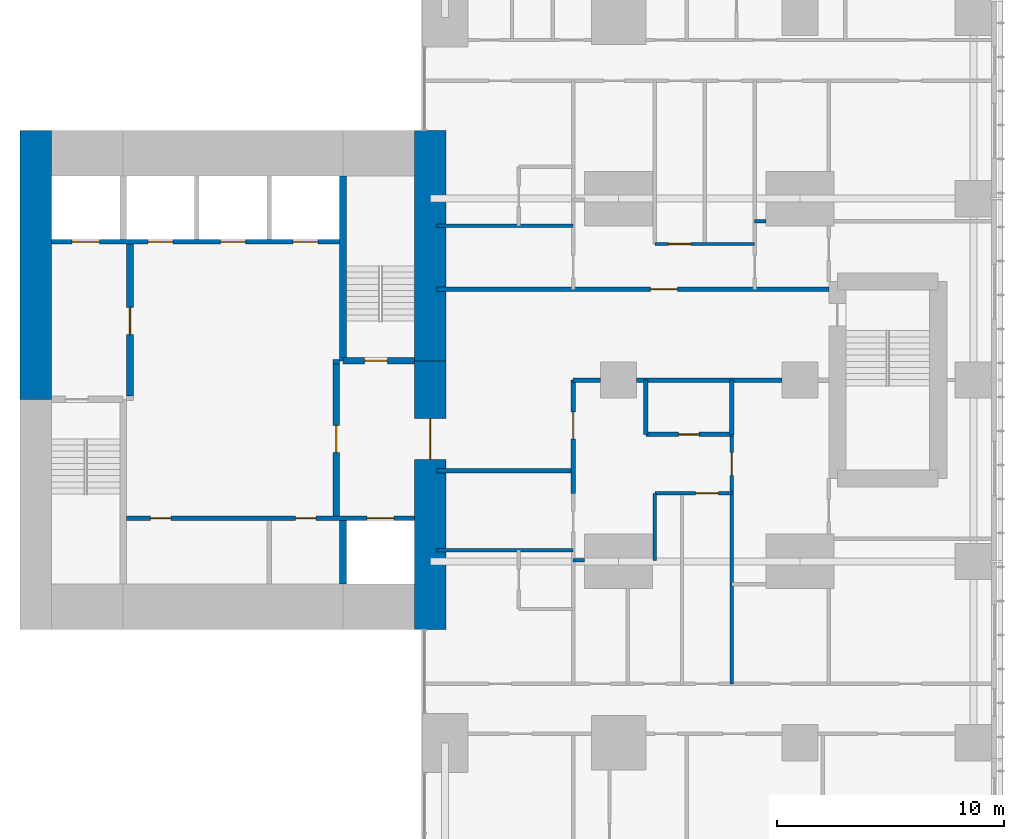
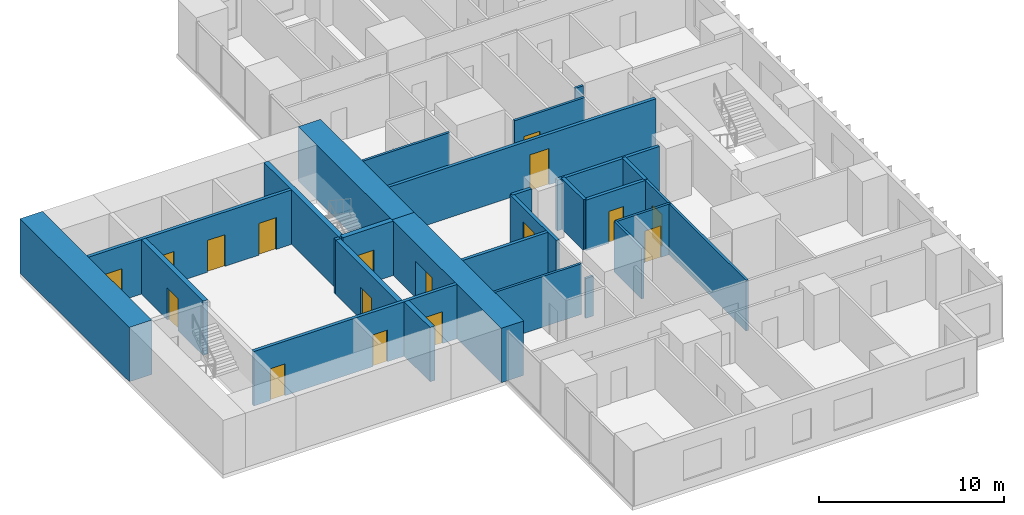
# One storey, part 8 of 12: 27 walls, 17 doors, 17 openings.
"""IFC4 building model written with IfcOpenShell, lengths in metres."""

from ifc_helpers import new_model, si_unit, direction, frame, frame_2d, origin, place, context, subcontext, project, spatial, rectangle, extrude, material, layer, layer_set, type_object, element, fill, save


model = new_model("IFC4")

# Units and contexts
model_context = context("Model", 3, precision=1e-05, world=origin(), true_north=direction((0.0, 1.0)))
body_context = subcontext(model_context, "Body", "Model", "MODEL_VIEW")
ifc_project = project(units=[si_unit("LENGTHUNIT", "METRE"), si_unit("AREAUNIT", "SQUARE_METRE"), si_unit("VOLUMEUNIT", "CUBIC_METRE"), si_unit("PLANEANGLEUNIT", "RADIAN"), si_unit("MASSUNIT", "GRAM", prefix="KILO")], contexts=[model_context])

# Site, building, storey
site_placement = place(None, origin())
site = spatial("IfcSite", under=ifc_project, at=site_placement, CompositionType="ELEMENT")
building_placement = place(site_placement, origin())
building = spatial("IfcBuilding", under=site, at=building_placement, Name="Cleftline Residences", CompositionType="ELEMENT")
storey_placement = place(building_placement, frame((0.0, 0.0, 248.39990234375)))
storey = spatial("IfcBuildingStorey", under=building, at=storey_placement, Name="L65", CompositionType="ELEMENT", Elevation=248.39990234375)

# Wall
ifc_material_1 = material(Name="Concrete B70", Category="concrete")
ifc_layer_1 = layer(ifc_material_1, 1.39990234375)
ifc_layer_set_1 = layer_set([ifc_layer_1], Name="CORE WALL 1400")
wall_type_1 = type_object("IfcWallType", Name="CORE WALL 1400", PredefinedType="SHEAR", material=ifc_layer_set_1)
wall_1_placement = place(storey_placement, frame((24.300048828125, 23.14990234375, 0.0), z_axis=(0.0, 0.0, 1.0), x_axis=(0.0, 1.0, 0.0)))
element("IfcWall", 1, at=wall_1_placement, inside=storey, type_object=wall_type_1, Name="Core wall W", PredefinedType="SHEAR", context=body_context, shape_type="SweptSolid", body=[
    extrude(rectangle(XDim=11.85009765625, YDim=1.39990234375, at=frame_2d((5.925048828125, 0.0))), origin(), (0.0, 0.0, 1.0), 3.60009765625),
])

# Wall, opening, door
wall_2_placement = place(storey_placement, frame((41.699951171875, 13.0, 0.0), z_axis=(0.0, 0.0, 1.0), x_axis=(0.0, 1.0, 0.0)))
wall_2 = element("IfcWall", 2, at=wall_2_placement, inside=storey, type_object=wall_type_1, Name="Core wall E", PredefinedType="SHEAR", context=body_context, shape_type="SweptSolid", body=[
    extrude(rectangle(XDim=11.85009765625, YDim=1.39990234375, at=frame_2d((5.925048828125, 0.0))), origin(), (0.0, 0.0, 1.0), 3.60009765625),
])
opening_1_placement = place(wall_2_placement, frame((7.5, 0.0, 0.0)))
opening_1 = element("IfcOpeningElement", 3, at=opening_1_placement, cuts=wall_2, Name="Opening D7", PredefinedType="OPENING", context=body_context, shape_type="SweptSolid", body=[
    extrude(rectangle(XDim=1.800048828125, YDim=2.39990234375, at=frame_2d((0.89990234375, 1.199951171875))), frame((0.0, 0.7099609375, 0.0), z_axis=(0.0, -1.0, 0.0), x_axis=(1.0, 0.0, 0.0)), (0.0, 0.0, 1.0), 1.419921875),
])
ifc_material_2 = material(Name="Steel", Category="steel")
door_type_1 = type_object("IfcDoorType", Name="WING DOOR 1800X2400", OperationType="DOUBLE_DOOR_DOUBLE_SWING", PredefinedType="DOOR", material=ifc_material_2)
door_1_placement = place(opening_1_placement, origin())
door_1 = element("IfcDoor", 4, at=door_1_placement, inside=storey, type_object=door_type_1, Name="East wing door", OperationType="DOUBLE_DOOR_DOUBLE_SWING", OverallHeight=2.39990234375, OverallWidth=1.800048828125, PredefinedType="DOOR", context=body_context, shape_type="SweptSolid", body=[
    extrude(rectangle(XDim=1.800048828125, YDim=2.39990234375, at=frame_2d((0.89990234375, 1.199951171875))), frame((0.0, 0.02490234375, 0.0), z_axis=(0.0, -1.0, 0.0), x_axis=(1.0, 0.0, 0.0)), (0.0, 0.0, 1.0), 0.050048828125),
])
fill(opening_1, door_1)

# Walls
wall_3_placement = place(storey_placement, frame((41.699951171875, 24.85009765625, 0.0), z_axis=(0.0, 0.0, 1.0), x_axis=(0.0, 1.0, 0.0)))
element("IfcWall", 5, at=wall_3_placement, inside=storey, type_object=wall_type_1, Name="Core wall E1", PredefinedType="SHEAR", context=body_context, shape_type="SweptSolid", body=[
    extrude(rectangle(XDim=10.14990234375, YDim=1.39990234375, at=frame_2d((5.074951171875, 0.0))), origin(), (0.0, 0.0, 1.0), 3.60009765625),
])
ifc_material_3 = material(Name="Concrete B70", Category="concrete")
ifc_layer_2 = layer(ifc_material_3, 0.300048828125)
ifc_layer_set_2 = layer_set([ifc_layer_2], Name="CORE WALL 300")
wall_type_2 = type_object("IfcWallType", Name="CORE WALL 300", PredefinedType="SHEAR", material=ifc_layer_set_2)
wall_4_placement = place(storey_placement, frame((37.85009765625, 24.85009765625, 0.0), z_axis=(0.0, 0.0, 1.0), x_axis=(0.0, 1.0, 0.0)))
element("IfcWall", 6, at=wall_4_placement, inside=storey, type_object=wall_type_2, Name="Core wall SB-W", PredefinedType="SHEAR", context=body_context, shape_type="SweptSolid", body=[
    extrude(rectangle(XDim=8.14990234375, YDim=0.300048828125, at=frame_2d((4.074951171875, 0.0))), origin(), (0.0, 0.0, 1.0), 3.60009765625),
])

# Wall, opening, door
wall_5_placement = place(storey_placement, frame((37.85009765625, 24.85009765625, 0.0), z_axis=(0.0, 0.0, 1.0), x_axis=(1.0, 0.0, 0.0)))
wall_5 = element("IfcWall", 7, at=wall_5_placement, inside=storey, type_object=wall_type_2, Name="Core wall SB-S", PredefinedType="SHEAR", context=body_context, shape_type="SweptSolid", body=[
    extrude(rectangle(XDim=3.14990234375, YDim=0.300048828125, at=frame_2d((1.574951171875, 0.0))), origin(), (0.0, 0.0, 1.0), 3.60009765625),
])
opening_2_placement = place(wall_5_placement, frame((0.949951171875, 0.0, 0.0)))
opening_2 = element("IfcOpeningElement", 8, at=opening_2_placement, cuts=wall_5, Name="Opening D5", PredefinedType="OPENING", context=body_context, shape_type="SweptSolid", body=[
    extrude(rectangle(XDim=1.0, YDim=2.10009765625, at=frame_2d((0.5, 1.050048828125))), frame((0.0, 0.159912109375, 0.0), z_axis=(0.0, -1.0, 0.0), x_axis=(1.0, 0.0, 0.0)), (0.0, 0.0, 1.0), 0.320068359375),
])
ifc_material_4 = material(Name="Steel", Category="steel")
door_type_2 = type_object("IfcDoorType", Name="STAIR DOOR 1000X2100", OperationType="SINGLE_SWING_LEFT", PredefinedType="DOOR", material=ifc_material_4)
door_2_placement = place(opening_2_placement, origin())
door_2 = element("IfcDoor", 9, at=door_2_placement, inside=storey, type_object=door_type_2, Name="Stair B door", OperationType="SINGLE_SWING_RIGHT", OverallHeight=2.10009765625, OverallWidth=1.0, PredefinedType="DOOR", context=body_context, shape_type="SweptSolid", body=[
    extrude(rectangle(XDim=1.0, YDim=2.10009765625, at=frame_2d((0.5, 1.050048828125))), frame((0.0, 0.02490234375, 0.0), z_axis=(0.0, -1.0, 0.0), x_axis=(1.0, 0.0, 0.0)), (0.0, 0.0, 1.0), 0.050048828125),
])
fill(opening_2, door_2)

# Walls
wall_6_placement = place(storey_placement, frame((37.85009765625, 15.0, 0.0), z_axis=(0.0, 0.0, 1.0), x_axis=(0.0, 1.0, 0.0)))
element("IfcWall", 10, at=wall_6_placement, inside=storey, type_object=wall_type_2, Name="Lift shaft wall", PredefinedType="SHEAR", context=body_context, shape_type="SweptSolid", body=[
    extrude(rectangle(XDim=2.800048828125, YDim=0.300048828125, at=frame_2d((1.39990234375, 0.0))), origin(), (0.0, 0.0, 1.0), 3.60009765625),
])
ifc_material_5 = material(Name="Concrete blockwork, fire rated", Category="masonry")
ifc_layer_3 = layer(ifc_material_5, 0.199951171875)
ifc_layer_set_3 = layer_set([ifc_layer_3], Name="FIRE WALL 200")
wall_type_3 = type_object("IfcWallType", Name="FIRE WALL 200", PredefinedType="PARTITIONING", material=ifc_layer_set_3)
wall_7_placement = place(storey_placement, frame((42.0, 20.0, 0.0), z_axis=(0.0, 0.0, 1.0), x_axis=(1.0, 0.0, 0.0)))
element("IfcWall", 11, at=wall_7_placement, inside=storey, type_object=wall_type_3, Name="Fire separating wall", PredefinedType="PARTITIONING", context=body_context, shape_type="SweptSolid", body=[
    extrude(rectangle(XDim=6.0, YDim=0.199951171875, at=frame_2d((3.0, 0.0))), origin(), (0.0, 0.0, 1.0), 3.35009765625),
])

# Wall, opening, door
wall_8_placement = place(storey_placement, frame((51.199951171875, 21.60009765625, 0.0), z_axis=(0.0, 0.0, 1.0), x_axis=(1.0, 0.0, 0.0)))
wall_8 = element("IfcWall", 12, at=wall_8_placement, inside=storey, type_object=wall_type_3, Name="Fire separating wall", PredefinedType="PARTITIONING", context=body_context, shape_type="SweptSolid", body=[
    extrude(rectangle(XDim=3.800048828125, YDim=0.199951171875, at=frame_2d((1.89990234375, 0.0))), origin(), (0.0, 0.0, 1.0), 3.35009765625),
])
opening_3_placement = place(wall_8_placement, frame((1.449951171875, 0.0, 0.0)))
opening_3 = element("IfcOpeningElement", 13, at=opening_3_placement, cuts=wall_8, Name="Opening D1F30", PredefinedType="OPENING", context=body_context, shape_type="SweptSolid", body=[
    extrude(rectangle(XDim=0.89990234375, YDim=2.10009765625, at=frame_2d((0.449951171875, 1.050048828125))), frame((0.0, 0.10986328125, 0.0), z_axis=(0.0, -1.0, 0.0), x_axis=(1.0, 0.0, 0.0)), (0.0, 0.0, 1.0), 0.219970703125),
])
ifc_material_6 = material(Name="Timber veneer on solid core", Category="wood")
door_type_3 = type_object("IfcDoorType", Name="DOOR 900X2100 EI 30", OperationType="SINGLE_SWING_LEFT", PredefinedType="DOOR", material=ifc_material_6)
door_3_placement = place(opening_3_placement, origin())
door_3 = element("IfcDoor", 14, at=door_3_placement, inside=storey, type_object=door_type_3, Name="Door to cloakroom wc", OperationType="SINGLE_SWING_LEFT", OverallHeight=2.10009765625, OverallWidth=0.89990234375, PredefinedType="DOOR", context=body_context, shape_type="SweptSolid", body=[
    extrude(rectangle(XDim=0.89990234375, YDim=2.10009765625, at=frame_2d((0.449951171875, 1.050048828125))), frame((0.0, 0.02490234375, 0.0), z_axis=(0.0, -1.0, 0.0), x_axis=(1.0, 0.0, 0.0)), (0.0, 0.0, 1.0), 0.050048828125),
])
fill(opening_3, door_3)

# Walls
wall_9_placement = place(storey_placement, frame((48.0, 24.0, 0.0), z_axis=(0.0, 0.0, 1.0), x_axis=(1.0, 0.0, 0.0)))
element("IfcWall", 15, at=wall_9_placement, inside=storey, type_object=wall_type_3, Name="Fire separating wall", PredefinedType="PARTITIONING", context=body_context, shape_type="SweptSolid", body=[
    extrude(rectangle(XDim=1.199951171875, YDim=0.199951171875, at=frame_2d((0.60009765625, 0.0))), origin(), (0.0, 0.0, 1.0), 3.35009765625),
])
wall_10_placement = place(storey_placement, frame((50.800048828125, 24.0, 0.0), z_axis=(0.0, 0.0, 1.0), x_axis=(1.0, 0.0, 0.0)))
element("IfcWall", 16, at=wall_10_placement, inside=storey, type_object=wall_type_3, Name="Fire separating wall", PredefinedType="PARTITIONING", context=body_context, shape_type="SweptSolid", body=[
    extrude(rectangle(XDim=6.39990234375, YDim=0.199951171875, at=frame_2d((3.199951171875, 0.0))), origin(), (0.0, 0.0, 1.0), 3.35009765625),
])

# Wall, opening, door
wall_11_placement = place(storey_placement, frame((42.0, 28.0, 0.0), z_axis=(0.0, 0.0, 1.0), x_axis=(1.0, 0.0, 0.0)))
wall_11 = element("IfcWall", 17, at=wall_11_placement, inside=storey, type_object=wall_type_3, Name="Fire separating wall", PredefinedType="PARTITIONING", context=body_context, shape_type="SweptSolid", body=[
    extrude(rectangle(XDim=17.27490234375, YDim=0.199951171875, at=frame_2d((8.637451171875, 0.0))), origin(), (0.0, 0.0, 1.0), 3.35009765625),
])
opening_4_placement = place(wall_11_placement, frame((9.39990234375, 0.0, 0.0)))
opening_4 = element("IfcOpeningElement", 18, at=opening_4_placement, cuts=wall_11, Name="Opening D4", PredefinedType="OPENING", context=body_context, shape_type="SweptSolid", body=[
    extrude(rectangle(XDim=1.199951171875, YDim=2.39990234375, at=frame_2d((0.60009765625, 1.199951171875))), frame((0.0, 0.10986328125, 0.0), z_axis=(0.0, -1.0, 0.0), x_axis=(1.0, 0.0, 0.0)), (0.0, 0.0, 1.0), 0.219970703125),
])
ifc_material_7 = material(Name="Timber veneer on solid core", Category="wood")
door_type_4 = type_object("IfcDoorType", Name="APARTMENT ENTRANCE DOOR 1200X2400", OperationType="SINGLE_SWING_RIGHT", PredefinedType="DOOR", material=ifc_material_7)
door_4_placement = place(opening_4_placement, origin())
door_4 = element("IfcDoor", 19, at=door_4_placement, inside=storey, type_object=door_type_4, Name="Door to residence entrance (gallery)", OperationType="SINGLE_SWING_LEFT", OverallHeight=2.39990234375, OverallWidth=1.199951171875, PredefinedType="DOOR", context=body_context, shape_type="SweptSolid", body=[
    extrude(rectangle(XDim=1.199951171875, YDim=2.39990234375, at=frame_2d((0.60009765625, 1.199951171875))), frame((0.0, 0.02490234375, 0.0), z_axis=(0.0, -1.0, 0.0), x_axis=(1.0, 0.0, 0.0)), (0.0, 0.0, 1.0), 0.050048828125),
])
fill(opening_4, door_4)

wall_12_placement = place(storey_placement, frame((48.0, 19.0, 0.0), z_axis=(0.0, 0.0, 1.0), x_axis=(0.0, 1.0, 0.0)))
wall_12 = element("IfcWall", 20, at=wall_12_placement, inside=storey, type_object=wall_type_3, Name="Fire separating wall", PredefinedType="PARTITIONING", context=body_context, shape_type="SweptSolid", body=[
    extrude(rectangle(XDim=5.0, YDim=0.199951171875, at=frame_2d((2.5, 0.0))), origin(), (0.0, 0.0, 1.0), 3.35009765625),
])
opening_5_placement = place(wall_12_placement, frame((2.39990234375, 0.0, 0.0)))
opening_5 = element("IfcOpeningElement", 21, at=opening_5_placement, cuts=wall_12, Name="Opening D4", PredefinedType="OPENING", context=body_context, shape_type="SweptSolid", body=[
    extrude(rectangle(XDim=1.199951171875, YDim=2.39990234375, at=frame_2d((0.60009765625, 1.199951171875))), frame((0.0, 0.10986328125, 0.0), z_axis=(0.0, -1.0, 0.0), x_axis=(1.0, 0.0, 0.0)), (0.0, 0.0, 1.0), 0.219970703125),
])
door_5_placement = place(opening_5_placement, origin())
door_5 = element("IfcDoor", 22, at=door_5_placement, inside=storey, type_object=door_type_4, Name="Door to residence entrance foyer", OperationType="SINGLE_SWING_LEFT", OverallHeight=2.39990234375, OverallWidth=1.199951171875, PredefinedType="DOOR", context=body_context, shape_type="SweptSolid", body=[
    extrude(rectangle(XDim=1.199951171875, YDim=2.39990234375, at=frame_2d((0.60009765625, 1.199951171875))), frame((0.0, 0.02490234375, 0.0), z_axis=(0.0, -1.0, 0.0), x_axis=(1.0, 0.0, 0.0)), (0.0, 0.0, 1.0), 0.050048828125),
])
fill(opening_5, door_5)

# Walls
for number, where, z_axis, x_axis, name in (
    (23, (51.199951171875, 21.60009765625, 0.0), (0.0, 0.0, 1.0), (0.0, 1.0, 0.0), "Fire separating wall"),
    (24, (55.0, 21.60009765625, 0.0), (0.0, 0.0, 1.0), (0.0, 1.0, 0.0), "Fire separating wall"),
):
    element("IfcWall", number, at=place(storey_placement, frame(where, z_axis=z_axis, x_axis=x_axis)), inside=storey, type_object=wall_type_3, Name=name, PredefinedType="PARTITIONING", context=body_context, shape_type="SweptSolid", body=[
        extrude(rectangle(XDim=2.39990234375, YDim=0.199951171875, at=frame_2d((1.199951171875, 0.0))), origin(), (0.0, 0.0, 1.0), 3.35009765625),
    ])
wall_13_placement = place(storey_placement, frame((37.39990234375, 24.800048828125, 0.0), z_axis=(0.0, 0.0, 1.0), x_axis=(1.0, 0.0, 0.0)))
element("IfcWall", 25, at=wall_13_placement, inside=storey, type_object=wall_type_3, Name="Fire separating wall", PredefinedType="PARTITIONING", context=body_context, shape_type="SweptSolid", body=[
    extrude(rectangle(XDim=0.300048828125, YDim=0.199951171875, at=frame_2d((0.14990234375, 0.0))), origin(), (0.0, 0.0, 1.0), 3.60009765625),
])
ifc_material_8 = material(Name="Gypsum board on steel studs", Category="steel")
ifc_layer_4 = layer(ifc_material_8, 0.14990234375)
ifc_layer_set_4 = layer_set([ifc_layer_4], Name="PARTITION 150")
wall_type_4 = type_object("IfcWallType", Name="PARTITION 150", PredefinedType="PARTITIONING", material=ifc_layer_set_4)
wall_14_placement = place(storey_placement, frame((48.0, 16.050048828125, 0.0), z_axis=(0.0, 0.0, 1.0), x_axis=(1.0, 0.0, 0.0)))
element("IfcWall", 26, at=wall_14_placement, inside=storey, type_object=wall_type_4, Name="Partition", PredefinedType="PARTITIONING", context=body_context, shape_type="SweptSolid", body=[
    extrude(rectangle(XDim=0.5, YDim=0.14990234375, at=frame_2d((0.25, 0.0))), origin(), (0.0, 0.0, 1.0), 2.634033203125),
])
wall_15_placement = place(storey_placement, frame((42.0, 16.5, 0.0), z_axis=(0.0, 0.0, 1.0), x_axis=(1.0, 0.0, 0.0)))
element("IfcWall", 27, at=wall_15_placement, inside=storey, type_object=wall_type_4, Name="Partition", PredefinedType="PARTITIONING", context=body_context, shape_type="SweptSolid", body=[
    extrude(rectangle(XDim=6.0, YDim=0.14990234375, at=frame_2d((3.0, 0.0))), origin(), (0.0, 0.0, 1.0), 3.35009765625),
])

# Wall, opening, door
wall_16_placement = place(storey_placement, frame((51.60009765625, 19.0, 0.0), z_axis=(0.0, 0.0, 1.0), x_axis=(1.0, 0.0, 0.0)))
wall_16 = element("IfcWall", 28, at=wall_16_placement, inside=storey, type_object=wall_type_4, Name="Partition", PredefinedType="PARTITIONING", context=body_context, shape_type="SweptSolid", body=[
    extrude(rectangle(XDim=3.39990234375, YDim=0.14990234375, at=frame_2d((1.699951171875, 0.0))), origin(), (0.0, 0.0, 1.0), 3.35009765625),
])
opening_6_placement = place(wall_16_placement, frame((1.800048828125, 0.0, 0.0)))
opening_6 = element("IfcOpeningElement", 29, at=opening_6_placement, cuts=wall_16, Name="Opening D2", PredefinedType="OPENING", context=body_context, shape_type="SweptSolid", body=[
    extrude(rectangle(XDim=1.0, YDim=2.10009765625, at=frame_2d((0.5, 1.050048828125))), frame((0.0, 0.0849609375, 0.0), z_axis=(0.0, -1.0, 0.0), x_axis=(1.0, 0.0, 0.0)), (0.0, 0.0, 1.0), 0.169921875),
])
ifc_material_9 = material(Name="Timber veneer on solid core", Category="wood")
door_type_5 = type_object("IfcDoorType", Name="DOOR 1000X2100", OperationType="SINGLE_SWING_LEFT", PredefinedType="DOOR", material=ifc_material_9)
door_6_placement = place(opening_6_placement, origin())
door_6 = element("IfcDoor", 30, at=door_6_placement, inside=storey, type_object=door_type_5, Name="Door to residence passage", OperationType="SINGLE_SWING_LEFT", OverallHeight=2.10009765625, OverallWidth=1.0, PredefinedType="DOOR", context=body_context, shape_type="SweptSolid", body=[
    extrude(rectangle(XDim=1.0, YDim=2.10009765625, at=frame_2d((0.5, 1.050048828125))), frame((0.0, 0.02490234375, 0.0), z_axis=(0.0, -1.0, 0.0), x_axis=(1.0, 0.0, 0.0)), (0.0, 0.0, 1.0), 0.050048828125),
])
fill(opening_6, door_6)

wall_17_placement = place(storey_placement, frame((51.60009765625, 30.0, 0.0), z_axis=(0.0, 0.0, 1.0), x_axis=(1.0, 0.0, 0.0)))
wall_17 = element("IfcWall", 31, at=wall_17_placement, inside=storey, type_object=wall_type_4, Name="Partition", PredefinedType="PARTITIONING", context=body_context, shape_type="SweptSolid", body=[
    extrude(rectangle(XDim=4.39990234375, YDim=0.14990234375, at=frame_2d((2.199951171875, 0.0))), origin(), (0.0, 0.0, 1.0), 3.35009765625),
])
opening_7_placement = place(wall_17_placement, frame((0.60009765625, 0.0, 0.0)))
opening_7 = element("IfcOpeningElement", 32, at=opening_7_placement, cuts=wall_17, Name="Opening D2", PredefinedType="OPENING", context=body_context, shape_type="SweptSolid", body=[
    extrude(rectangle(XDim=1.0, YDim=2.10009765625, at=frame_2d((0.5, 1.050048828125))), frame((0.0, 0.0849609375, 0.0), z_axis=(0.0, -1.0, 0.0), x_axis=(1.0, 0.0, 0.0)), (0.0, 0.0, 1.0), 0.169921875),
])
door_7_placement = place(opening_7_placement, origin())
door_7 = element("IfcDoor", 33, at=door_7_placement, inside=storey, type_object=door_type_5, Name="Door to residence passage", OperationType="SINGLE_SWING_RIGHT", OverallHeight=2.10009765625, OverallWidth=1.0, PredefinedType="DOOR", context=body_context, shape_type="SweptSolid", body=[
    extrude(rectangle(XDim=1.0, YDim=2.10009765625, at=frame_2d((0.5, 1.050048828125))), frame((0.0, 0.02490234375, 0.0), z_axis=(0.0, -1.0, 0.0), x_axis=(1.0, 0.0, 0.0)), (0.0, 0.0, 1.0), 0.050048828125),
])
fill(opening_7, door_7)

# Walls
wall_18_placement = place(storey_placement, frame((42.0, 30.800048828125, 0.0), z_axis=(0.0, 0.0, 1.0), x_axis=(1.0, 0.0, 0.0)))
element("IfcWall", 34, at=wall_18_placement, inside=storey, type_object=wall_type_4, Name="Partition", PredefinedType="PARTITIONING", context=body_context, shape_type="SweptSolid", body=[
    extrude(rectangle(XDim=6.0, YDim=0.14990234375, at=frame_2d((3.0, 0.0))), origin(), (0.0, 0.0, 1.0), 3.35009765625),
])
wall_19_placement = place(storey_placement, frame((56.0, 31.0, 0.0), z_axis=(0.0, 0.0, 1.0), x_axis=(1.0, 0.0, 0.0)))
element("IfcWall", 35, at=wall_19_placement, inside=storey, type_object=wall_type_4, Name="Partition", PredefinedType="PARTITIONING", context=body_context, shape_type="SweptSolid", body=[
    extrude(rectangle(XDim=0.5, YDim=0.14990234375, at=frame_2d((0.25, 0.0))), origin(), (0.0, 0.0, 1.0), 3.35009765625),
])
wall_20_placement = place(storey_placement, frame((51.60009765625, 16.050048828125, 0.0), z_axis=(0.0, 0.0, 1.0), x_axis=(0.0, 1.0, 0.0)))
element("IfcWall", 36, at=wall_20_placement, inside=storey, type_object=wall_type_4, Name="Partition", PredefinedType="PARTITIONING", context=body_context, shape_type="SweptSolid", body=[
    extrude(rectangle(XDim=2.949951171875, YDim=0.14990234375, at=frame_2d((1.47509765625, 0.0))), origin(), (0.0, 0.0, 1.0), 3.35009765625),
])

# Wall, opening, door
wall_21_placement = place(storey_placement, frame((55.0, 10.60009765625, 0.0), z_axis=(0.0, 0.0, 1.0), x_axis=(0.0, 1.0, 0.0)))
wall_21 = element("IfcWall", 37, at=wall_21_placement, inside=storey, type_object=wall_type_4, Name="Partition", PredefinedType="PARTITIONING", context=body_context, shape_type="SweptSolid", body=[
    extrude(rectangle(XDim=11.0, YDim=0.14990234375, at=frame_2d((5.5, 0.0))), origin(), (0.0, 0.0, 1.0), 3.35009765625),
])
opening_8_placement = place(wall_21_placement, frame((9.199951171875, 0.0, 0.0)))
opening_8 = element("IfcOpeningElement", 38, at=opening_8_placement, cuts=wall_21, Name="Opening D2F30", PredefinedType="OPENING", context=body_context, shape_type="SweptSolid", body=[
    extrude(rectangle(XDim=1.0, YDim=2.10009765625, at=frame_2d((0.5, 1.050048828125))), frame((0.0, 0.0849609375, 0.0), z_axis=(0.0, -1.0, 0.0), x_axis=(1.0, 0.0, 0.0)), (0.0, 0.0, 1.0), 0.169921875),
])
ifc_material_10 = material(Name="Timber veneer on solid core", Category="wood")
door_type_6 = type_object("IfcDoorType", Name="DOOR 1000X2100 EI 30", OperationType="SINGLE_SWING_LEFT", PredefinedType="DOOR", material=ifc_material_10)
door_8_placement = place(opening_8_placement, origin())
door_8 = element("IfcDoor", 39, at=door_8_placement, inside=storey, type_object=door_type_6, Name="Door to residence lobby", OperationType="SINGLE_SWING_LEFT", OverallHeight=2.10009765625, OverallWidth=1.0, PredefinedType="DOOR", context=body_context, shape_type="SweptSolid", body=[
    extrude(rectangle(XDim=1.0, YDim=2.10009765625, at=frame_2d((0.5, 1.050048828125))), frame((0.0, 0.02490234375, 0.0), z_axis=(0.0, -1.0, 0.0), x_axis=(1.0, 0.0, 0.0)), (0.0, 0.0, 1.0), 0.050048828125),
])
fill(opening_8, door_8)

# Wall, openings, doors
ifc_material_11 = material(Name="Concrete blockwork, fire rated", Category="masonry")
ifc_layer_5 = layer(ifc_material_11, 0.199951171875)
ifc_layer_set_5 = layer_set([ifc_layer_5], Name="SHAFT WALL 200")
wall_type_5 = type_object("IfcWallType", Name="SHAFT WALL 200", PredefinedType="PARTITIONING", material=ifc_layer_set_5)
wall_22_placement = place(storey_placement, frame((28.300048828125, 17.89990234375, 0.0), z_axis=(0.0, 0.0, 1.0), x_axis=(1.0, 0.0, 0.0)))
wall_22 = element("IfcWall", 40, at=wall_22_placement, inside=storey, type_object=wall_type_5, Name="Core room wall", PredefinedType="PARTITIONING", context=body_context, shape_type="SweptSolid", body=[
    extrude(rectangle(XDim=12.699951171875, YDim=0.199951171875, at=frame_2d((6.35009765625, 0.0))), origin(), (0.0, 0.0, 1.0), 3.60009765625),
])
opening_9_placement = place(wall_22_placement, frame((1.050048828125, 0.0, 0.0)))
opening_9 = element("IfcOpeningElement", 41, at=opening_9_placement, cuts=wall_22, Name="Opening D1F30", PredefinedType="OPENING", context=body_context, shape_type="SweptSolid", body=[
    extrude(rectangle(XDim=0.89990234375, YDim=2.10009765625, at=frame_2d((0.449951171875, 1.050048828125))), frame((0.0, 0.10986328125, 0.0), z_axis=(0.0, -1.0, 0.0), x_axis=(1.0, 0.0, 0.0)), (0.0, 0.0, 1.0), 0.219970703125),
])
opening_10_placement = place(wall_22_placement, frame((7.449951171875, 0.0, 0.0)))
opening_10 = element("IfcOpeningElement", 42, at=opening_10_placement, cuts=wall_22, Name="Opening D1F30", PredefinedType="OPENING", context=body_context, shape_type="SweptSolid", body=[
    extrude(rectangle(XDim=0.89990234375, YDim=2.10009765625, at=frame_2d((0.449951171875, 1.050048828125))), frame((0.0, 0.10986328125, 0.0), z_axis=(0.0, -1.0, 0.0), x_axis=(1.0, 0.0, 0.0)), (0.0, 0.0, 1.0), 0.219970703125),
])
opening_11_placement = place(wall_22_placement, frame((10.60009765625, 0.0, 0.0)))
opening_11 = element("IfcOpeningElement", 43, at=opening_11_placement, cuts=wall_22, Name="Opening LD2", PredefinedType="OPENING", context=body_context, shape_type="SweptSolid", body=[
    extrude(rectangle(XDim=1.199951171875, YDim=2.10009765625, at=frame_2d((0.60009765625, 1.050048828125))), frame((0.0, 0.10986328125, 0.0), z_axis=(0.0, -1.0, 0.0), x_axis=(1.0, 0.0, 0.0)), (0.0, 0.0, 1.0), 0.219970703125),
])
door_9_placement = place(opening_9_placement, origin())
door_9 = element("IfcDoor", 44, at=door_9_placement, inside=storey, type_object=door_type_3, Name="Door to housekeeping pantry", OperationType="SINGLE_SWING_RIGHT", OverallHeight=2.10009765625, OverallWidth=0.89990234375, PredefinedType="DOOR", context=body_context, shape_type="SweptSolid", body=[
    extrude(rectangle(XDim=0.89990234375, YDim=2.10009765625, at=frame_2d((0.449951171875, 1.050048828125))), frame((0.0, 0.02490234375, 0.0), z_axis=(0.0, -1.0, 0.0), x_axis=(1.0, 0.0, 0.0)), (0.0, 0.0, 1.0), 0.050048828125),
])
fill(opening_9, door_9)
door_10_placement = place(opening_10_placement, origin())
door_10 = element("IfcDoor", 45, at=door_10_placement, inside=storey, type_object=door_type_3, Name="Door to housekeeping store", OperationType="SINGLE_SWING_LEFT", OverallHeight=2.10009765625, OverallWidth=0.89990234375, PredefinedType="DOOR", context=body_context, shape_type="SweptSolid", body=[
    extrude(rectangle(XDim=0.89990234375, YDim=2.10009765625, at=frame_2d((0.449951171875, 1.050048828125))), frame((0.0, 0.02490234375, 0.0), z_axis=(0.0, -1.0, 0.0), x_axis=(1.0, 0.0, 0.0)), (0.0, 0.0, 1.0), 0.050048828125),
])
fill(opening_10, door_10)
ifc_material_12 = material(Name="Steel", Category="steel")
door_type_7 = type_object("IfcDoorType", Name="FIREFIGHTING LIFT LANDING DOOR 1200X2100", OperationType="SLIDING_TO_LEFT", PredefinedType="DOOR", material=ifc_material_12)
door_11_placement = place(opening_11_placement, origin())
door_11 = element("IfcDoor", 46, at=door_11_placement, inside=storey, type_object=door_type_7, Name="Lift FL2 landing door", OperationType="SLIDING_TO_LEFT", OverallHeight=2.10009765625, OverallWidth=1.199951171875, PredefinedType="DOOR", context=body_context, shape_type="SweptSolid", body=[
    extrude(rectangle(XDim=1.199951171875, YDim=2.10009765625, at=frame_2d((0.60009765625, 1.050048828125))), frame((0.0, 0.02490234375, 0.0), z_axis=(0.0, -1.0, 0.0), x_axis=(1.0, 0.0, 0.0)), (0.0, 0.0, 1.0), 0.050048828125),
])
fill(opening_11, door_11)

wall_23_placement = place(storey_placement, frame((25.0, 30.10009765625, 0.0), z_axis=(0.0, 0.0, 1.0), x_axis=(1.0, 0.0, 0.0)))
wall_23 = element("IfcWall", 47, at=wall_23_placement, inside=storey, type_object=wall_type_5, Name="Lift shaft wall", PredefinedType="PARTITIONING", context=body_context, shape_type="SweptSolid", body=[
    extrude(rectangle(XDim=12.699951171875, YDim=0.199951171875, at=frame_2d((6.35009765625, 0.0))), origin(), (0.0, 0.0, 1.0), 3.60009765625),
])
opening_12_placement = place(wall_23_placement, frame((4.25, 0.0, 0.0)))
opening_12 = element("IfcOpeningElement", 48, at=opening_12_placement, cuts=wall_23, Name="Opening LD1", PredefinedType="OPENING", context=body_context, shape_type="SweptSolid", body=[
    extrude(rectangle(XDim=1.10009765625, YDim=2.10009765625, at=frame_2d((0.550048828125, 1.050048828125))), frame((0.0, 0.10986328125, 0.0), z_axis=(0.0, -1.0, 0.0), x_axis=(1.0, 0.0, 0.0)), (0.0, 0.0, 1.0), 0.219970703125),
])
opening_13_placement = place(wall_23_placement, frame((7.449951171875, 0.0, 0.0)))
opening_13 = element("IfcOpeningElement", 49, at=opening_13_placement, cuts=wall_23, Name="Opening LD1", PredefinedType="OPENING", context=body_context, shape_type="SweptSolid", body=[
    extrude(rectangle(XDim=1.10009765625, YDim=2.10009765625, at=frame_2d((0.550048828125, 1.050048828125))), frame((0.0, 0.10986328125, 0.0), z_axis=(0.0, -1.0, 0.0), x_axis=(1.0, 0.0, 0.0)), (0.0, 0.0, 1.0), 0.219970703125),
])
opening_14_placement = place(wall_23_placement, frame((10.64990234375, 0.0, 0.0)))
opening_14 = element("IfcOpeningElement", 50, at=opening_14_placement, cuts=wall_23, Name="Opening LD1", PredefinedType="OPENING", context=body_context, shape_type="SweptSolid", body=[
    extrude(rectangle(XDim=1.10009765625, YDim=2.10009765625, at=frame_2d((0.550048828125, 1.050048828125))), frame((0.0, 0.10986328125, 0.0), z_axis=(0.0, -1.0, 0.0), x_axis=(1.0, 0.0, 0.0)), (0.0, 0.0, 1.0), 0.219970703125),
])
opening_15_placement = place(wall_23_placement, frame((0.89990234375, 0.0, 0.0)))
opening_15 = element("IfcOpeningElement", 51, at=opening_15_placement, cuts=wall_23, Name="Opening LD2", PredefinedType="OPENING", context=body_context, shape_type="SweptSolid", body=[
    extrude(rectangle(XDim=1.199951171875, YDim=2.10009765625, at=frame_2d((0.60009765625, 1.050048828125))), frame((0.0, 0.10986328125, 0.0), z_axis=(0.0, -1.0, 0.0), x_axis=(1.0, 0.0, 0.0)), (0.0, 0.0, 1.0), 0.219970703125),
])
door_12_placement = place(opening_15_placement, origin())
door_12 = element("IfcDoor", 52, at=door_12_placement, inside=storey, type_object=door_type_7, Name="Lift FL1 landing door", OperationType="SLIDING_TO_LEFT", OverallHeight=2.10009765625, OverallWidth=1.199951171875, PredefinedType="DOOR", context=body_context, shape_type="SweptSolid", body=[
    extrude(rectangle(XDim=1.199951171875, YDim=2.10009765625, at=frame_2d((0.60009765625, 1.050048828125))), frame((0.0, 0.02490234375, 0.0), z_axis=(0.0, -1.0, 0.0), x_axis=(1.0, 0.0, 0.0)), (0.0, 0.0, 1.0), 0.050048828125),
])
fill(opening_15, door_12)
ifc_material_13 = material(Name="Steel", Category="steel")
door_type_8 = type_object("IfcDoorType", Name="LIFT LANDING DOOR 1100X2100", OperationType="SLIDING_TO_LEFT", PredefinedType="DOOR", material=ifc_material_13)
door_13_placement = place(opening_12_placement, origin())
door_13 = element("IfcDoor", 53, at=door_13_placement, inside=storey, type_object=door_type_8, Name="Lift P4 landing door", OperationType="SLIDING_TO_LEFT", OverallHeight=2.10009765625, OverallWidth=1.10009765625, PredefinedType="DOOR", context=body_context, shape_type="SweptSolid", body=[
    extrude(rectangle(XDim=1.10009765625, YDim=2.10009765625, at=frame_2d((0.550048828125, 1.050048828125))), frame((0.0, 0.02490234375, 0.0), z_axis=(0.0, -1.0, 0.0), x_axis=(1.0, 0.0, 0.0)), (0.0, 0.0, 1.0), 0.050048828125),
])
fill(opening_12, door_13)
door_14_placement = place(opening_13_placement, origin())
door_14 = element("IfcDoor", 54, at=door_14_placement, inside=storey, type_object=door_type_8, Name="Lift P5 landing door", OperationType="SLIDING_TO_LEFT", OverallHeight=2.10009765625, OverallWidth=1.10009765625, PredefinedType="DOOR", context=body_context, shape_type="SweptSolid", body=[
    extrude(rectangle(XDim=1.10009765625, YDim=2.10009765625, at=frame_2d((0.550048828125, 1.050048828125))), frame((0.0, 0.02490234375, 0.0), z_axis=(0.0, -1.0, 0.0), x_axis=(1.0, 0.0, 0.0)), (0.0, 0.0, 1.0), 0.050048828125),
])
fill(opening_13, door_14)
door_15_placement = place(opening_14_placement, origin())
door_15 = element("IfcDoor", 55, at=door_15_placement, inside=storey, type_object=door_type_8, Name="Lift P6 landing door", OperationType="SLIDING_TO_LEFT", OverallHeight=2.10009765625, OverallWidth=1.10009765625, PredefinedType="DOOR", context=body_context, shape_type="SweptSolid", body=[
    extrude(rectangle(XDim=1.10009765625, YDim=2.10009765625, at=frame_2d((0.550048828125, 1.050048828125))), frame((0.0, 0.02490234375, 0.0), z_axis=(0.0, -1.0, 0.0), x_axis=(1.0, 0.0, 0.0)), (0.0, 0.0, 1.0), 0.050048828125),
])
fill(opening_14, door_15)

# Wall, opening, door
ifc_material_14 = material(Name="Concrete blockwork, fire rated", Category="masonry")
ifc_layer_6 = layer(ifc_material_14, 0.300048828125)
ifc_layer_set_6 = layer_set([ifc_layer_6], Name="STAIR LOBBY WALL 300")
wall_type_6 = type_object("IfcWallType", Name="STAIR LOBBY WALL 300", PredefinedType="PARTITIONING", material=ifc_layer_set_6)
wall_24_placement = place(storey_placement, frame((28.449951171875, 23.300048828125, 0.0), z_axis=(0.0, 0.0, 1.0), x_axis=(0.0, 1.0, 0.0)))
wall_24 = element("IfcWall", 56, at=wall_24_placement, inside=storey, type_object=wall_type_6, Name="Stair and lobby wall FA-E", PredefinedType="PARTITIONING", context=body_context, shape_type="SweptSolid", body=[
    extrude(rectangle(XDim=6.699951171875, YDim=0.300048828125, at=frame_2d((3.35009765625, 0.0))), origin(), (0.0, 0.0, 1.0), 3.60009765625),
])
opening_16_placement = place(wall_24_placement, frame((2.699951171875, 0.0, 0.0)))
opening_16 = element("IfcOpeningElement", 57, at=opening_16_placement, cuts=wall_24, Name="Opening D6", PredefinedType="OPENING", context=body_context, shape_type="SweptSolid", body=[
    extrude(rectangle(XDim=1.199951171875, YDim=2.10009765625, at=frame_2d((0.60009765625, 1.050048828125))), frame((0.0, 0.159912109375, 0.0), z_axis=(0.0, -1.0, 0.0), x_axis=(1.0, 0.0, 0.0)), (0.0, 0.0, 1.0), 0.320068359375),
])
ifc_material_15 = material(Name="Steel", Category="steel")
door_type_9 = type_object("IfcDoorType", Name="LOBBY DOOR 1200X2100", OperationType="SINGLE_SWING_RIGHT", PredefinedType="DOOR", material=ifc_material_15)
door_16_placement = place(opening_16_placement, origin())
door_16 = element("IfcDoor", 58, at=door_16_placement, inside=storey, type_object=door_type_9, Name="Firefighting lobby A door", OperationType="SINGLE_SWING_RIGHT", OverallHeight=2.10009765625, OverallWidth=1.199951171875, PredefinedType="DOOR", context=body_context, shape_type="SweptSolid", body=[
    extrude(rectangle(XDim=1.199951171875, YDim=2.10009765625, at=frame_2d((0.60009765625, 1.050048828125))), frame((0.0, 0.02490234375, 0.0), z_axis=(0.0, -1.0, 0.0), x_axis=(1.0, 0.0, 0.0)), (0.0, 0.0, 1.0), 0.050048828125),
])
fill(opening_16, door_16)

wall_25_placement = place(storey_placement, frame((37.550048828125, 18.0, 0.0), z_axis=(0.0, 0.0, 1.0), x_axis=(0.0, 1.0, 0.0)))
wall_25 = element("IfcWall", 59, at=wall_25_placement, inside=storey, type_object=wall_type_6, Name="Stair and lobby wall FB-W", PredefinedType="PARTITIONING", context=body_context, shape_type="SweptSolid", body=[
    extrude(rectangle(XDim=6.699951171875, YDim=0.300048828125, at=frame_2d((3.35009765625, 0.0))), origin(), (0.0, 0.0, 1.0), 3.60009765625),
])
opening_17_placement = place(wall_25_placement, frame((2.800048828125, 0.0, 0.0)))
opening_17 = element("IfcOpeningElement", 60, at=opening_17_placement, cuts=wall_25, Name="Opening D6", PredefinedType="OPENING", context=body_context, shape_type="SweptSolid", body=[
    extrude(rectangle(XDim=1.199951171875, YDim=2.10009765625, at=frame_2d((0.60009765625, 1.050048828125))), frame((0.0, 0.159912109375, 0.0), z_axis=(0.0, -1.0, 0.0), x_axis=(1.0, 0.0, 0.0)), (0.0, 0.0, 1.0), 0.320068359375),
])
door_17_placement = place(opening_17_placement, origin())
door_17 = element("IfcDoor", 61, at=door_17_placement, inside=storey, type_object=door_type_9, Name="Firefighting lobby B door", OperationType="SINGLE_SWING_LEFT", OverallHeight=2.10009765625, OverallWidth=1.199951171875, PredefinedType="DOOR", context=body_context, shape_type="SweptSolid", body=[
    extrude(rectangle(XDim=1.199951171875, YDim=2.10009765625, at=frame_2d((0.60009765625, 1.050048828125))), frame((0.0, 0.02490234375, 0.0), z_axis=(0.0, -1.0, 0.0), x_axis=(1.0, 0.0, 0.0)), (0.0, 0.0, 1.0), 0.050048828125),
])
fill(opening_17, door_17)

save(model, "model.ifc")
